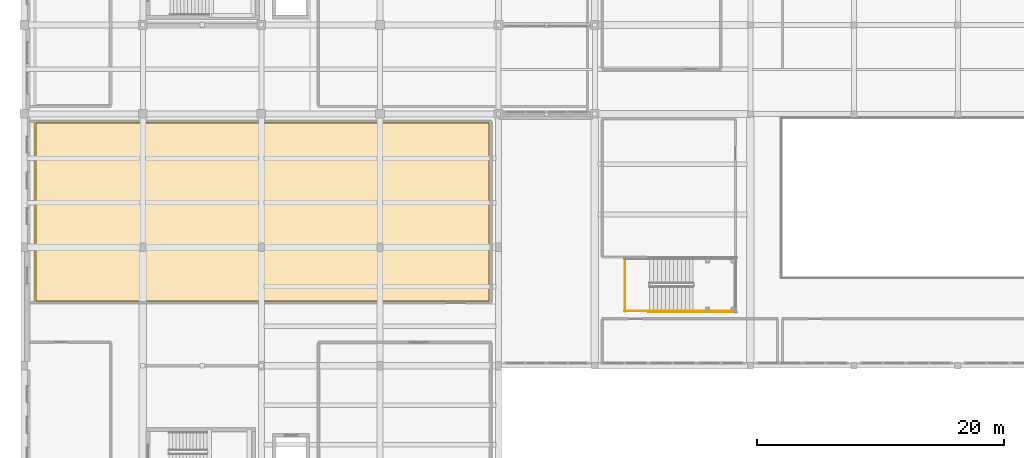
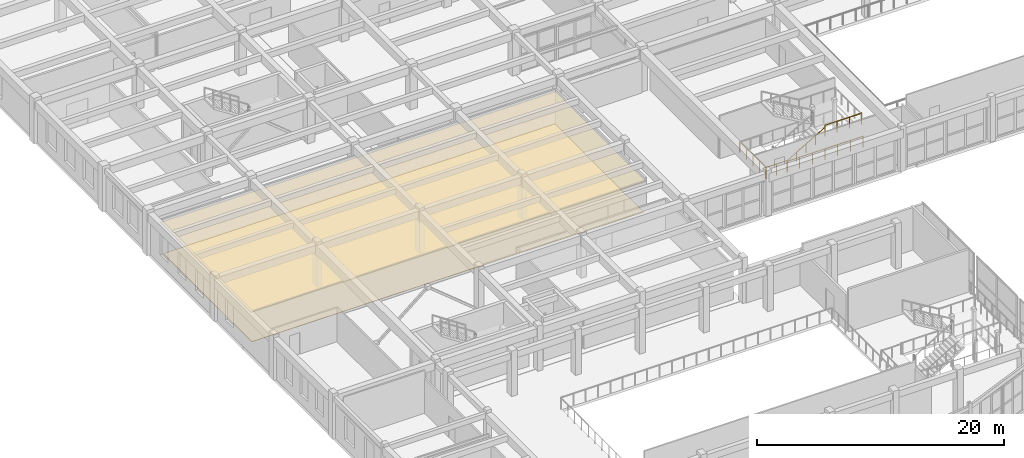
# One storey, part 81 of 92: 5 railings, 2 coverings.
"""IFC4 building model written with IfcOpenShell, lengths in metres."""

from ifc_helpers import new_model, si_unit, direction, frame, origin, origin_2d, place, context, subcontext, project, spatial, polyline, circle, outline, extrude, material, layer, layer_set, type_object, element, save


model = new_model("IFC4")

# Units and contexts
model_context = context("Model", 3, precision=1e-05, world=origin(), true_north=direction((0.0, 1.0)))
body_context = subcontext(model_context, "Body", "Model", "MODEL_VIEW")
ifc_project = project(units=[si_unit("LENGTHUNIT", "METRE"), si_unit("AREAUNIT", "SQUARE_METRE"), si_unit("VOLUMEUNIT", "CUBIC_METRE"), si_unit("PLANEANGLEUNIT", "RADIAN"), si_unit("MASSUNIT", "GRAM", prefix="KILO")], contexts=[model_context])

# Site, building, storey
site_placement = place(None, origin())
site = spatial("IfcSite", under=ifc_project, at=site_placement, CompositionType="ELEMENT")
building_placement = place(site_placement, origin())
building = spatial("IfcBuilding", under=site, at=building_placement, Name="Tarnavel Promenade Courthouse", CompositionType="ELEMENT")
storey_placement = place(building_placement, frame((0.0, 0.0, 5.39990234375)))
storey = spatial("IfcBuildingStorey", under=building, at=storey_placement, Name="L02", CompositionType="ELEMENT", Elevation=5.39990234375)

# Railing
ifc_material_1 = material(Name="Brushed Bronze Tubular Stair Handrail")
railing_type_1 = type_object("IfcRailingType", Name="Brushed Bronze Tubular Stair Handrail (RL-HND-0900)", PredefinedType="HANDRAIL", material=ifc_material_1)
railing_1_placement = place(storey_placement, frame((50.64990234375, 51.25, 0.1875)))
element("IfcRailing", 1, at=railing_1_placement, inside=storey, type_object=railing_type_1, Name="L02 ST-10 stair handrail 1", PredefinedType="HANDRAIL", context=body_context, shape_type="SweptSolid", body=[
    extrude(circle(Radius=0.02392578125, at=origin_2d()), frame((0.0, 0.0, 0.8759765625), z_axis=(0.862800583847, 0.0, 0.505544412009), x_axis=(0.0, 1.0, 0.0)), (0.0, 0.0, 1.0), 4.079833984375),
    extrude(circle(Radius=0.02099609375, at=origin_2d()), origin(), (0.0, 0.0, 1.0), 0.851806640625),
    extrude(circle(Radius=0.02099609375, at=origin_2d()), frame((0.8798828125, 0.0, 0.515625)), (0.0, 0.0, 1.0), 0.851806640625),
    extrude(circle(Radius=0.02099609375, at=origin_2d()), frame((1.760009765625, 0.0, 1.03125)), (0.0, 0.0, 1.0), 0.851806640625),
    extrude(circle(Radius=0.02099609375, at=origin_2d()), frame((2.64013671875, 0.0, 1.546875)), (0.0, 0.0, 1.0), 0.851806640625),
    extrude(circle(Radius=0.02099609375, at=origin_2d()), frame((3.52001953125, 0.0, 2.0625)), (0.0, 0.0, 1.0), 0.851806640625),
])

# Covering
ifc_material_2 = material(Name="Honed Khoriatis Marble and Terrazzo Civic Flooring", Category="masonry")
ifc_layer_1 = layer(ifc_material_2, 0.0400390625)
ifc_layer_set_1 = layer_set([ifc_layer_1], Name="Honed Khoriatis Marble and Terrazzo Civic Flooring")
covering_type_1 = type_object("IfcCoveringType", Name="Honed Khoriatis Marble and Terrazzo Civic Flooring (COV-FLR-TRZ-40)", PredefinedType="FLOORING", material=ifc_layer_set_1)
covering_1_placement = place(storey_placement, origin())
element("IfcCovering", 2, at=covering_1_placement, inside=storey, type_object=covering_type_1, Name="L02 Law Library Reading Room Main Salon Architectural Flooring 0012", PredefinedType="FLOORING", context=body_context, shape_type="SweptSolid", body=[
    extrude(outline(polyline([(0.949951171875, 52.050048828125), (37.64990234375, 52.050048828125), (37.64990234375, 66.449951171875), (0.949951171875, 66.449951171875), (0.949951171875, 52.050048828125)])), origin(), (0.0, 0.0, 1.0), 0.0400390625),
])

# Railings
ifc_material_3 = material(Name="Painted Architectural Steel Stair & Atrium Guardrail", Category="steel")
railing_type_2 = type_object("IfcRailingType", Name="Painted Architectural Steel Stair & Atrium Guardrail (RL-GRD-1120)", PredefinedType="GUARDRAIL", material=ifc_material_3)
railing_2_placement = place(storey_placement, frame((54.169921875, 51.25, 2.25)))
element("IfcRailing", 3, at=railing_2_placement, inside=storey, type_object=railing_type_2, Name="L02 ST-10 stair guard 3", PredefinedType="GUARDRAIL", context=body_context, shape_type="SweptSolid", body=[
    extrude(circle(Radius=0.02392578125, at=origin_2d()), frame((0.0, 0.0, 1.076171875), z_axis=(1.0, 0.0, 0.0), x_axis=(0.0, 1.0, 0.0)), (0.0, 0.0, 1.0), 3.43017578125),
    extrude(circle(Radius=0.02099609375, at=origin_2d()), origin(), (0.0, 0.0, 1.0), 1.052001953125),
    extrude(circle(Radius=0.02099609375, at=origin_2d()), frame((1.143310546875, 0.0, 0.0)), (0.0, 0.0, 1.0), 1.052001953125),
    extrude(circle(Radius=0.02099609375, at=origin_2d()), frame((2.286865234375, 0.0, 0.0)), (0.0, 0.0, 1.0), 1.052001953125),
    extrude(circle(Radius=0.02099609375, at=origin_2d()), frame((3.43017578125, 0.0, 0.0)), (0.0, 0.0, 1.0), 1.052001953125),
])
railing_3_placement = place(storey_placement, frame((48.60009765625, 51.25, 0.0)))
element("IfcRailing", 4, at=railing_3_placement, inside=storey, type_object=railing_type_2, Name="L02 ST-10 stair guard 8", PredefinedType="GUARDRAIL", context=body_context, shape_type="SweptSolid", body=[
    extrude(circle(Radius=0.02392578125, at=origin_2d()), frame((0.0, 0.0, 1.076171875), z_axis=(1.0, 0.0, 0.0), x_axis=(0.0, 1.0, 0.0)), (0.0, 0.0, 1.0), 2.0498046875),
    extrude(circle(Radius=0.02099609375, at=origin_2d()), origin(), (0.0, 0.0, 1.0), 1.052001953125),
    extrude(circle(Radius=0.02099609375, at=origin_2d()), frame((1.02490234375, 0.0, 0.0)), (0.0, 0.0, 1.0), 1.052001953125),
    extrude(circle(Radius=0.02099609375, at=origin_2d()), frame((2.0498046875, 0.0, 0.0)), (0.0, 0.0, 1.0), 1.052001953125),
])
railing_4_placement = place(storey_placement, frame((48.64990234375, 51.199951171875, 0.0)))
element("IfcRailing", 5, at=railing_4_placement, inside=storey, type_object=railing_type_2, Name="L02 ST-10 stair guard 10", PredefinedType="GUARDRAIL", context=body_context, shape_type="SweptSolid", body=[
    extrude(circle(Radius=0.02392578125, at=origin_2d()), frame((0.0, 0.0, 1.076171875), z_axis=(0.0, 1.0, 0.0), x_axis=(-1.0, 0.0, 0.0)), (0.0, 0.0, 1.0), 4.300048828125),
    extrude(circle(Radius=0.02099609375, at=origin_2d()), origin(), (0.0, 0.0, 1.0), 1.052001953125),
    extrude(circle(Radius=0.02099609375, at=origin_2d()), frame((0.0, 1.074951171875, 0.0)), (0.0, 0.0, 1.0), 1.052001953125),
    extrude(circle(Radius=0.02099609375, at=origin_2d()), frame((0.0, 2.14990234375, 0.0)), (0.0, 0.0, 1.0), 1.052001953125),
    extrude(circle(Radius=0.02099609375, at=origin_2d()), frame((0.0, 3.22509765625, 0.0)), (0.0, 0.0, 1.0), 1.052001953125),
    extrude(circle(Radius=0.02099609375, at=origin_2d()), frame((0.0, 4.300048828125, 0.0)), (0.0, 0.0, 1.0), 1.052001953125),
])
railing_5_placement = place(storey_placement, frame((50.550048828125, 51.14990234375, 0.0)))
element("IfcRailing", 6, at=railing_5_placement, inside=storey, type_object=railing_type_2, Name="L02 ST-10 stair guard 11", PredefinedType="GUARDRAIL", context=body_context, shape_type="SweptSolid", body=[
    extrude(circle(Radius=0.02392578125, at=origin_2d()), frame((0.0, 0.0, 1.076171875), z_axis=(1.0, 0.0, 0.0), x_axis=(0.0, 1.0, 0.0)), (0.0, 0.0, 1.0), 7.14990234375),
    extrude(circle(Radius=0.02099609375, at=origin_2d()), origin(), (0.0, 0.0, 1.0), 1.052001953125),
    extrude(circle(Radius=0.02099609375, at=origin_2d()), frame((1.191650390625, 0.0, 0.0)), (0.0, 0.0, 1.0), 1.052001953125),
    extrude(circle(Radius=0.02099609375, at=origin_2d()), frame((2.38330078125, 0.0, 0.0)), (0.0, 0.0, 1.0), 1.052001953125),
    extrude(circle(Radius=0.02099609375, at=origin_2d()), frame((3.574951171875, 0.0, 0.0)), (0.0, 0.0, 1.0), 1.052001953125),
    extrude(circle(Radius=0.02099609375, at=origin_2d()), frame((4.7666015625, 0.0, 0.0)), (0.0, 0.0, 1.0), 1.052001953125),
    extrude(circle(Radius=0.02099609375, at=origin_2d()), frame((5.958251953125, 0.0, 0.0)), (0.0, 0.0, 1.0), 1.052001953125),
    extrude(circle(Radius=0.02099609375, at=origin_2d()), frame((7.14990234375, 0.0, 0.0)), (0.0, 0.0, 1.0), 1.052001953125),
])

# Covering
ifc_material_4 = material(Name="Slatted Acoustic White Oak Baffle Ceiling")
ifc_layer_2 = layer(ifc_material_4, 0.06494140625)
ifc_layer_set_2 = layer_set([ifc_layer_2], Name="Slatted Acoustic White Oak Baffle Ceiling")
covering_type_2 = type_object("IfcCoveringType", Name="Slatted Acoustic White Oak Baffle Ceiling (COV-CLG-OAK-65)", PredefinedType="CEILING", material=ifc_layer_set_2)
covering_2_placement = place(storey_placement, frame((0.0, 0.0, 3.03515625)))
element("IfcCovering", 7, at=covering_2_placement, inside=storey, type_object=covering_type_2, Name="L02 Law Library Reading Room Main Salon Acoustic Ceiling 0012", PredefinedType="CEILING", context=body_context, shape_type="SweptSolid", body=[
    extrude(outline(polyline([(0.800048828125, 51.89990234375), (37.800048828125, 51.89990234375), (37.800048828125, 66.60009765625), (0.800048828125, 66.60009765625), (0.800048828125, 51.89990234375)])), origin(), (0.0, 0.0, 1.0), 0.06494140625),
])

save(model, "model.ifc")
